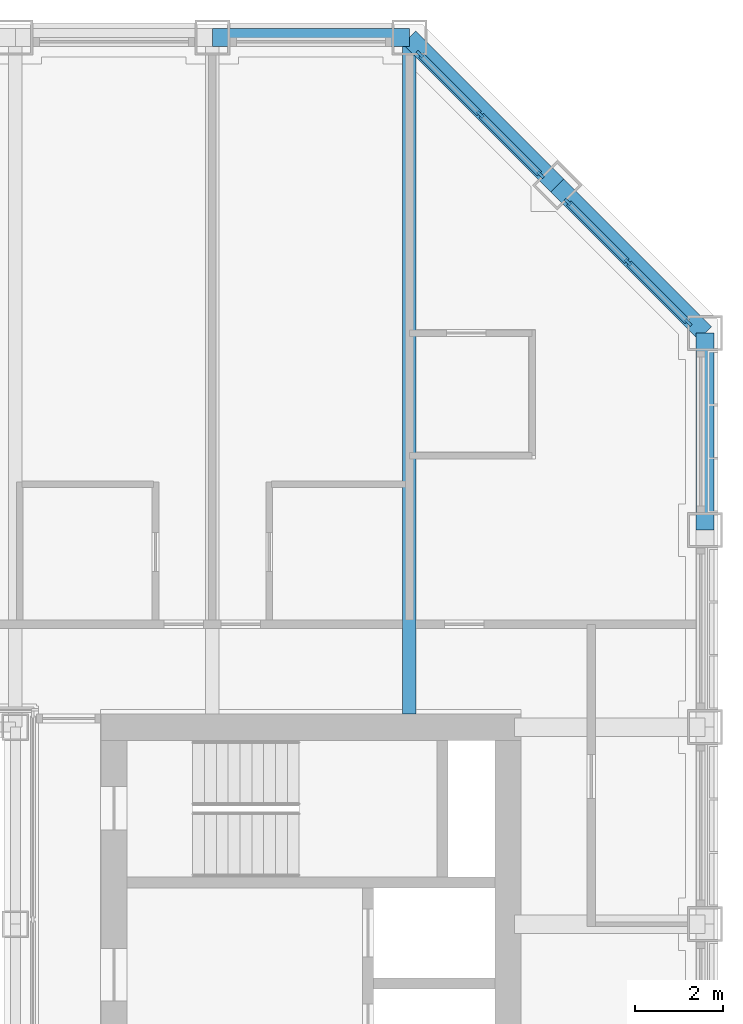
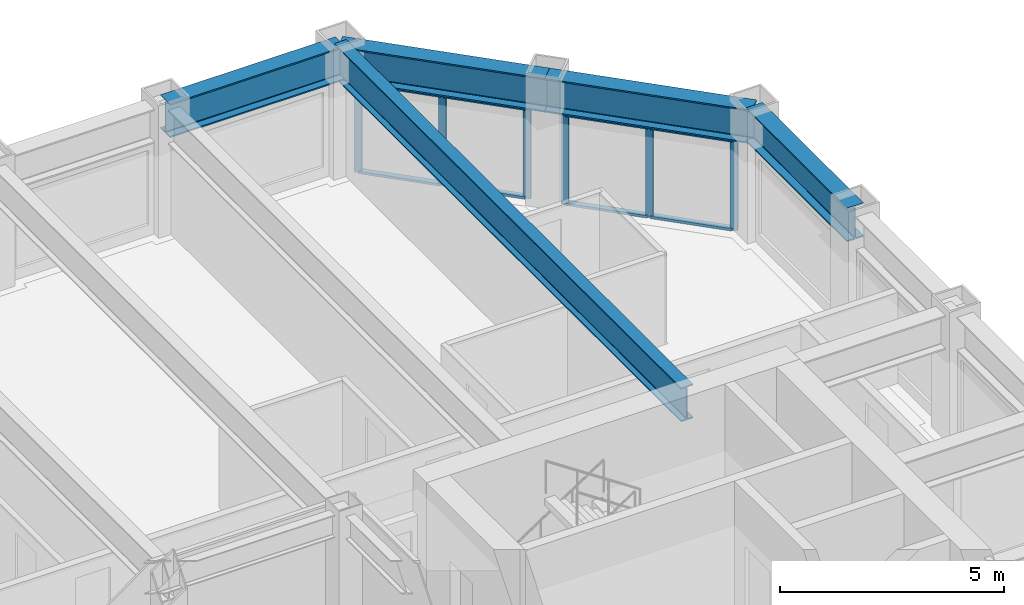
# One storey, part 8 of 17: 14 members, 5 beams, 2 elements without a shape of their own.
"""IFC4 building model written with IfcOpenShell, lengths in metres."""

from ifc_helpers import new_model, si_unit, direction, frame, origin, origin_2d, place, context, subcontext, project, spatial, rectangle, i_section, extrude, material, material_profile, profile_set, type_object, element, aggregate, save


model = new_model("IFC4")

# Units and contexts
model_context = context("Model", 3, precision=1e-05, world=origin(), true_north=direction((0.0, 1.0)))
body_context = subcontext(model_context, "Body", "Model", "MODEL_VIEW")
ifc_project = project(units=[si_unit("LENGTHUNIT", "METRE"), si_unit("AREAUNIT", "SQUARE_METRE"), si_unit("VOLUMEUNIT", "CUBIC_METRE"), si_unit("PLANEANGLEUNIT", "RADIAN"), si_unit("MASSUNIT", "GRAM", prefix="KILO")], contexts=[model_context])

# Site, building, storey
site_placement = place(None, origin())
site = spatial("IfcSite", under=ifc_project, at=site_placement, CompositionType="ELEMENT")
building_placement = place(site_placement, origin())
building = spatial("IfcBuilding", under=site, at=building_placement, Name="Msasa Ring Tower", CompositionType="ELEMENT")
storey_placement = place(building_placement, frame((0.0, 0.0, 158.0)))
storey = spatial("IfcBuildingStorey", under=building, at=storey_placement, Name="L41", CompositionType="ELEMENT", Elevation=158.0)

# Curtain wall, members
ifc_material_1 = material(Name="Aluminium curtain wall with clear glass", Category="aluminium")
curtain_wall_type = type_object("IfcCurtainWallType", Name="CW-C CHAMFER CORNER CURTAIN WALL", PredefinedType="NOTDEFINED", material=ifc_material_1)
curtain_wall_1_placement = place(storey_placement, origin())
curtain_wall_1 = element("IfcCurtainWall", 1, at=curtain_wall_1_placement, inside=storey, type_object=curtain_wall_type, Name="Chamfer corner curtain wall NE L41", PredefinedType="NOTDEFINED")
ifc_material_2 = material(Name="Aluminium mullion", Category="aluminium")
ifc_material_profile_1 = material_profile(ifc_material_2, rectangle(XDim=0.06494140625, YDim=0.179931640625, at=origin_2d()), Name="AL 65x180")
ifc_profile_set_1 = profile_set([ifc_material_profile_1], Name="Aluminium mullion")
member_type_1 = type_object("IfcMemberType", Name="CW-C MULLION 65x180", PredefinedType="MULLION", material=ifc_profile_set_1)
member_1_placement = place(storey_placement, frame((18.744873046875, 19.36376953125, 0.0), z_axis=(0.0, 0.0, 1.0), x_axis=(-0.707106781187, -0.707106781187, 0.0)))
member_1 = element("IfcMember", 2, at=member_1_placement, type_object=member_type_1, Name="CW-C mullion 1", PredefinedType="MULLION", context=body_context, shape_type="SweptSolid", body=[
    extrude(rectangle(XDim=0.06494140625, YDim=0.179931640625, at=origin_2d()), origin(), (0.0, 0.0, 1.0), 2.47900390625),
])
member_2_placement = place(storey_placement, frame((17.36669921875, 20.74169921875, 0.0), z_axis=(0.0, 0.0, 1.0), x_axis=(-0.707106781187, -0.707106781187, 0.0)))
member_2 = element("IfcMember", 3, at=member_2_placement, type_object=member_type_1, Name="CW-C mullion 2", PredefinedType="MULLION", context=body_context, shape_type="SweptSolid", body=[
    extrude(rectangle(XDim=0.06494140625, YDim=0.179931640625, at=origin_2d()), origin(), (0.0, 0.0, 1.0), 2.47900390625),
])
member_3_placement = place(storey_placement, frame((15.98876953125, 22.119873046875, 0.0), z_axis=(0.0, 0.0, 1.0), x_axis=(-0.707106781187, -0.707106781187, 0.0)))
member_3 = element("IfcMember", 4, at=member_3_placement, type_object=member_type_1, Name="CW-C mullion 3", PredefinedType="MULLION", context=body_context, shape_type="SweptSolid", body=[
    extrude(rectangle(XDim=0.06494140625, YDim=0.179931640625, at=origin_2d()), origin(), (0.0, 0.0, 1.0), 2.47900390625),
])

curtain_wall_2_placement = place(storey_placement, origin())
curtain_wall_2 = element("IfcCurtainWall", 5, at=curtain_wall_2_placement, inside=storey, type_object=curtain_wall_type, Name="Chamfer corner curtain wall NE L41", PredefinedType="NOTDEFINED")
member_4_placement = place(storey_placement, frame((22.119873046875, 15.98876953125, 0.0), z_axis=(0.0, 0.0, 1.0), x_axis=(-0.707106781187, -0.707106781187, 0.0)))
member_4 = element("IfcMember", 6, at=member_4_placement, type_object=member_type_1, Name="CW-C mullion 1", PredefinedType="MULLION", context=body_context, shape_type="SweptSolid", body=[
    extrude(rectangle(XDim=0.06494140625, YDim=0.179931640625, at=origin_2d()), origin(), (0.0, 0.0, 1.0), 2.47900390625),
])
member_5_placement = place(storey_placement, frame((20.74169921875, 17.36669921875, 0.0), z_axis=(0.0, 0.0, 1.0), x_axis=(-0.707106781187, -0.707106781187, 0.0)))
member_5 = element("IfcMember", 7, at=member_5_placement, type_object=member_type_1, Name="CW-C mullion 2", PredefinedType="MULLION", context=body_context, shape_type="SweptSolid", body=[
    extrude(rectangle(XDim=0.06494140625, YDim=0.179931640625, at=origin_2d()), origin(), (0.0, 0.0, 1.0), 2.47900390625),
])
member_6_placement = place(storey_placement, frame((19.36376953125, 18.744873046875, 0.0), z_axis=(0.0, 0.0, 1.0), x_axis=(-0.707106781187, -0.707106781187, 0.0)))
member_6 = element("IfcMember", 8, at=member_6_placement, type_object=member_type_1, Name="CW-C mullion 3", PredefinedType="MULLION", context=body_context, shape_type="SweptSolid", body=[
    extrude(rectangle(XDim=0.06494140625, YDim=0.179931640625, at=origin_2d()), origin(), (0.0, 0.0, 1.0), 2.47900390625),
])

# Member
ifc_material_3 = material(Name="Aluminium transom", Category="aluminium")
ifc_material_profile_2 = material_profile(ifc_material_3, rectangle(XDim=0.139892578125, YDim=0.06494140625, at=origin_2d()), Name="AL 65x140")
ifc_profile_set_2 = profile_set([ifc_material_profile_2], Name="Aluminium transom")
member_type_2 = type_object("IfcMemberType", Name="CW-C TRANSOM 65x140", PredefinedType="USERDEFINED", material=ifc_profile_set_2)
member_7_placement = place(storey_placement, frame((18.721923828125, 19.38671875, 0.032470703125), z_axis=(-0.707106781187, 0.707106781187, 0.0), x_axis=(-0.707106781187, -0.707106781187, 0.0)))
member_7 = element("IfcMember", 9, at=member_7_placement, type_object=member_type_2, Name="CW-C transom 1.1", ObjectType="TRANSOM", PredefinedType="USERDEFINED", context=body_context, shape_type="SweptSolid", body=[
    extrude(rectangle(XDim=0.139892578125, YDim=0.06494140625, at=origin_2d()), origin(), (0.0, 0.0, 1.0), 1.8837890625),
])

member_8_placement = place(storey_placement, frame((18.721923828125, 19.38671875, 2.446533203125), z_axis=(-0.707106781187, 0.707106781187, 0.0), x_axis=(-0.707106781187, -0.707106781187, 0.0)))
member_8 = element("IfcMember", 10, at=member_8_placement, type_object=member_type_2, Name="CW-C transom 1.2", ObjectType="TRANSOM", PredefinedType="USERDEFINED", context=body_context, shape_type="SweptSolid", body=[
    extrude(rectangle(XDim=0.139892578125, YDim=0.06494140625, at=origin_2d()), origin(), (0.0, 0.0, 1.0), 1.8837890625),
])

member_9_placement = place(storey_placement, frame((17.34375, 20.764892578125, 0.032470703125), z_axis=(-0.707106781187, 0.707106781187, 0.0), x_axis=(-0.707106781187, -0.707106781187, 0.0)))
member_9 = element("IfcMember", 11, at=member_9_placement, type_object=member_type_2, Name="CW-C transom 2.1", ObjectType="TRANSOM", PredefinedType="USERDEFINED", context=body_context, shape_type="SweptSolid", body=[
    extrude(rectangle(XDim=0.139892578125, YDim=0.06494140625, at=origin_2d()), origin(), (0.0, 0.0, 1.0), 1.8837890625),
])

member_10_placement = place(storey_placement, frame((17.34375, 20.764892578125, 2.446533203125), z_axis=(-0.707106781187, 0.707106781187, 0.0), x_axis=(-0.707106781187, -0.707106781187, 0.0)))
member_10 = element("IfcMember", 12, at=member_10_placement, type_object=member_type_2, Name="CW-C transom 2.2", ObjectType="TRANSOM", PredefinedType="USERDEFINED", context=body_context, shape_type="SweptSolid", body=[
    extrude(rectangle(XDim=0.139892578125, YDim=0.06494140625, at=origin_2d()), origin(), (0.0, 0.0, 1.0), 1.8837890625),
])

aggregate(curtain_wall_1, [member_1, member_2, member_3, member_7, member_8, member_9, member_10])

member_11_placement = place(storey_placement, frame((22.096923828125, 16.01171875, 0.032470703125), z_axis=(-0.707106781187, 0.707106781187, 0.0), x_axis=(-0.707106781187, -0.707106781187, 0.0)))
member_11 = element("IfcMember", 13, at=member_11_placement, type_object=member_type_2, Name="CW-C transom 1.1", ObjectType="TRANSOM", PredefinedType="USERDEFINED", context=body_context, shape_type="SweptSolid", body=[
    extrude(rectangle(XDim=0.139892578125, YDim=0.06494140625, at=origin_2d()), origin(), (0.0, 0.0, 1.0), 1.8837890625),
])

member_12_placement = place(storey_placement, frame((22.096923828125, 16.01171875, 2.446533203125), z_axis=(-0.707106781187, 0.707106781187, 0.0), x_axis=(-0.707106781187, -0.707106781187, 0.0)))
member_12 = element("IfcMember", 14, at=member_12_placement, type_object=member_type_2, Name="CW-C transom 1.2", ObjectType="TRANSOM", PredefinedType="USERDEFINED", context=body_context, shape_type="SweptSolid", body=[
    extrude(rectangle(XDim=0.139892578125, YDim=0.06494140625, at=origin_2d()), origin(), (0.0, 0.0, 1.0), 1.8837890625),
])

member_13_placement = place(storey_placement, frame((20.71875, 17.389892578125, 0.032470703125), z_axis=(-0.707106781187, 0.707106781187, 0.0), x_axis=(-0.707106781187, -0.707106781187, 0.0)))
member_13 = element("IfcMember", 15, at=member_13_placement, type_object=member_type_2, Name="CW-C transom 2.1", ObjectType="TRANSOM", PredefinedType="USERDEFINED", context=body_context, shape_type="SweptSolid", body=[
    extrude(rectangle(XDim=0.139892578125, YDim=0.06494140625, at=origin_2d()), origin(), (0.0, 0.0, 1.0), 1.8837890625),
])

member_14_placement = place(storey_placement, frame((20.71875, 17.389892578125, 2.446533203125), z_axis=(-0.707106781187, 0.707106781187, 0.0), x_axis=(-0.707106781187, -0.707106781187, 0.0)))
member_14 = element("IfcMember", 16, at=member_14_placement, type_object=member_type_2, Name="CW-C transom 2.2", ObjectType="TRANSOM", PredefinedType="USERDEFINED", context=body_context, shape_type="SweptSolid", body=[
    extrude(rectangle(XDim=0.139892578125, YDim=0.06494140625, at=origin_2d()), origin(), (0.0, 0.0, 1.0), 1.8837890625),
])

aggregate(curtain_wall_2, [member_4, member_5, member_6, member_11, member_12, member_13, member_14])

# Beams
ifc_material_4 = material(Name="Steel S355", Category="steel")
ifc_material_profile_3 = material_profile(ifc_material_4, i_section(OverallWidth=0.3076171875, OverallDepth=0.926513671875, WebThickness=0.01953125, FlangeThickness=0.031982421875, FilletRadius=0.01904296875, at=origin_2d()), Name="UB 914x305x289")
ifc_profile_set_3 = profile_set([ifc_material_profile_3], Name="Steel S355")
beam_type_1 = type_object("IfcBeamType", Name="FB3 UB 914x305x289", PredefinedType="BEAM", material=ifc_profile_set_3)
beam_1_placement = place(storey_placement, frame((15.75, 22.5, 2.936767578125), z_axis=(0.0, -1.0, 0.0), x_axis=(1.0, 0.0, 0.0)))
element("IfcBeam", 17, at=beam_1_placement, inside=storey, type_object=beam_type_1, Name="Floor beam N+15.75 under L42", PredefinedType="BEAM", context=body_context, shape_type="SweptSolid", body=[
    extrude(i_section(OverallWidth=0.3076171875, OverallDepth=0.926513671875, WebThickness=0.01953125, FlangeThickness=0.031982421875, FilletRadius=0.01904296875, at=origin_2d()), origin(), (0.0, 0.0, 1.0), 15.449951171875),
])
ifc_material_5 = material(Name="Steel S355", Category="steel")
ifc_material_profile_4 = material_profile(ifc_material_5, i_section(OverallWidth=0.42041015625, OverallDepth=0.9208984375, WebThickness=0.021484375, FlangeThickness=0.03662109375, FilletRadius=0.024169921875, at=origin_2d()), Name="UB 914x419x388")
ifc_profile_set_4 = profile_set([ifc_material_profile_4], Name="Steel S355")
beam_type_2 = type_object("IfcBeamType", Name="SB1 UB 914x419x388", PredefinedType="SPANDREL", material=ifc_profile_set_4)
beam_2_placement = place(storey_placement, frame((22.5, 11.25, 2.939453125), z_axis=(0.0, 1.0, 0.0), x_axis=(-1.0, 0.0, 0.0)))
element("IfcBeam", 18, at=beam_2_placement, inside=storey, type_object=beam_type_2, Name="Spandrel E+11.25 to E+15.75 under L42", PredefinedType="SPANDREL", context=body_context, shape_type="SweptSolid", body=[
    extrude(i_section(OverallWidth=0.42041015625, OverallDepth=0.9208984375, WebThickness=0.021484375, FlangeThickness=0.03662109375, FilletRadius=0.024169921875, at=origin_2d()), origin(), (0.0, 0.0, 1.0), 4.5),
])
for number, where, z_axis, x_axis, name in (
    (19, (22.5, 15.75, 2.939453125), (-0.707106781187, 0.707106781187, 0.0), (-0.707106781187, -0.707106781187, 0.0), "Spandrel E+15.75 to NE under L42"),
    (20, (19.125, 19.125, 2.939453125), (-0.707106781187, 0.707106781187, 0.0), (-0.707106781187, -0.707106781187, 0.0), "Spandrel NE to N+15.75 under L42"),
):
    element("IfcBeam", number, at=place(storey_placement, frame(where, z_axis=z_axis, x_axis=x_axis)), inside=storey, type_object=beam_type_2, Name=name, PredefinedType="SPANDREL", context=body_context, shape_type="SweptSolid", body=[
        extrude(i_section(OverallWidth=0.42041015625, OverallDepth=0.9208984375, WebThickness=0.021484375, FlangeThickness=0.03662109375, FilletRadius=0.024169921875, at=origin_2d()), origin(), (0.0, 0.0, 1.0), 4.77294921875),
    ])
beam_3_placement = place(storey_placement, frame((15.75, 22.5, 2.939453125), z_axis=(-1.0, 0.0, 0.0), x_axis=(0.0, -1.0, 0.0)))
element("IfcBeam", 21, at=beam_3_placement, inside=storey, type_object=beam_type_2, Name="Spandrel N+15.75 to N+11.25 under L42", PredefinedType="SPANDREL", context=body_context, shape_type="SweptSolid", body=[
    extrude(i_section(OverallWidth=0.42041015625, OverallDepth=0.9208984375, WebThickness=0.021484375, FlangeThickness=0.03662109375, FilletRadius=0.024169921875, at=origin_2d()), origin(), (0.0, 0.0, 1.0), 4.5),
])

save(model, "model.ifc")
